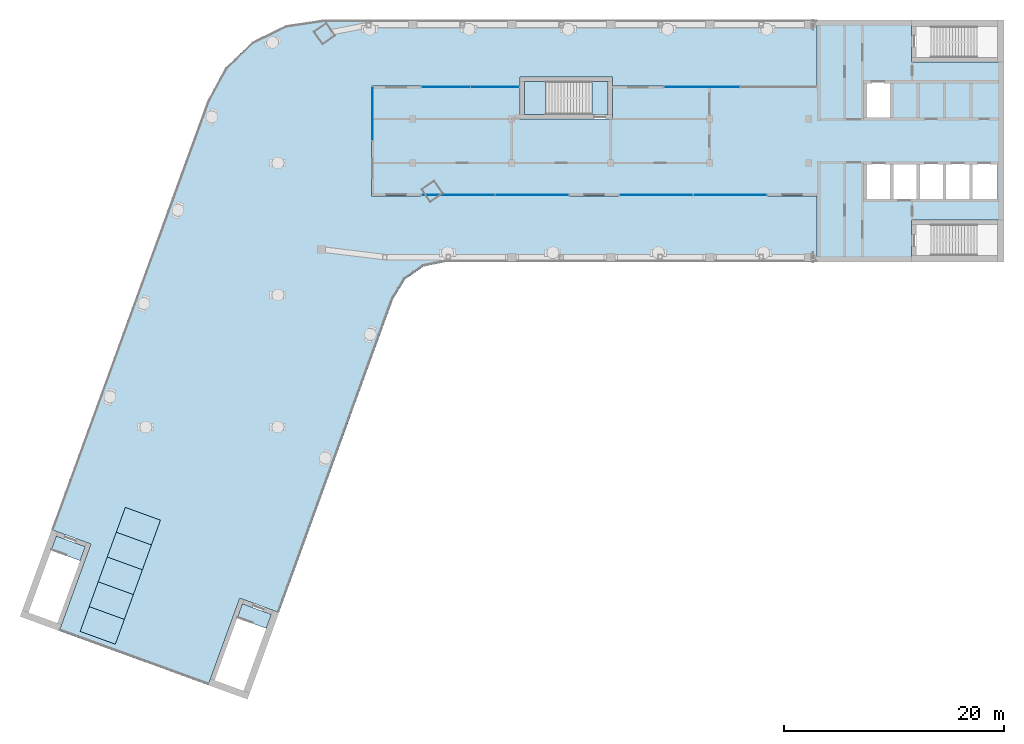
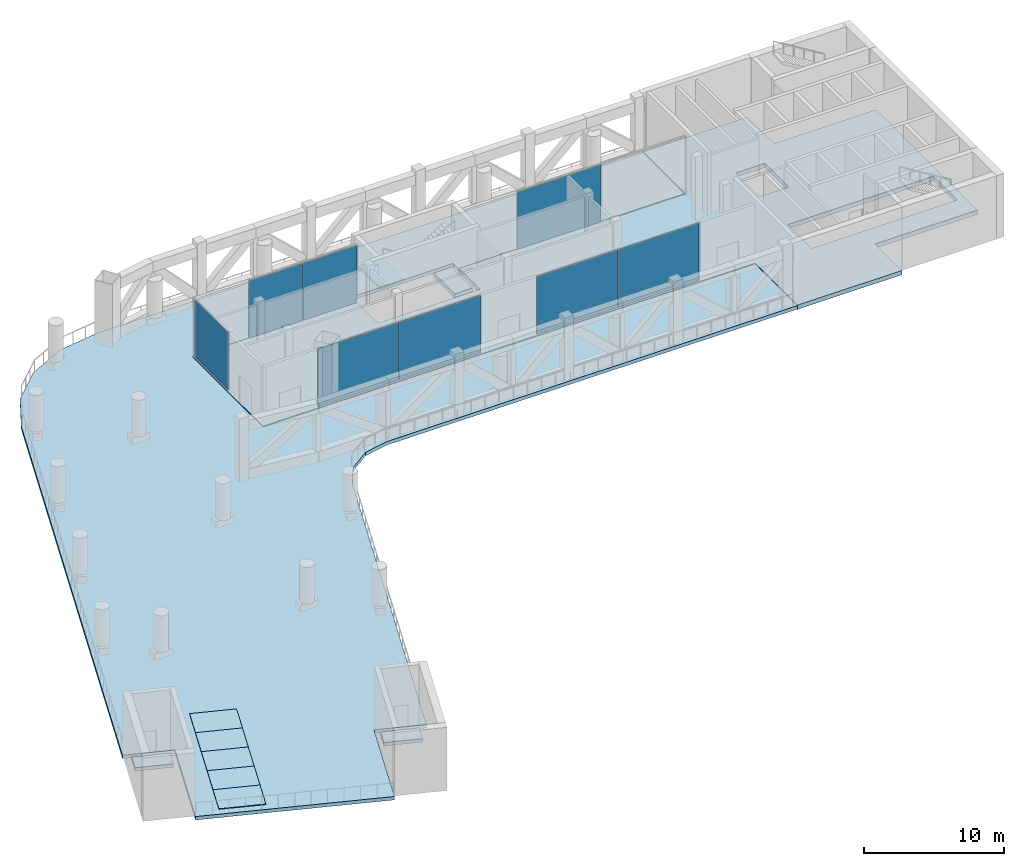
# One storey, part 6 of 14: 11 slabs, 8 plates, 6 elements without a shape of their own.
"""IFC4 building model written with IfcOpenShell, lengths in metres."""

from ifc_helpers import new_model, si_unit, direction, frame, origin, origin_2d, place, context, subcontext, project, spatial, polyline, rectangle, outline, extrude, material, layer, layer_set, type_object, element, aggregate, save


model = new_model("IFC4")

# Units and contexts
model_context = context("Model", 3, precision=1e-05, world=origin(), true_north=direction((0.0, 1.0)))
body_context = subcontext(model_context, "Body", "Model", "MODEL_VIEW")
ifc_project = project(units=[si_unit("LENGTHUNIT", "METRE"), si_unit("AREAUNIT", "SQUARE_METRE"), si_unit("VOLUMEUNIT", "CUBIC_METRE"), si_unit("PLANEANGLEUNIT", "RADIAN"), si_unit("MASSUNIT", "GRAM", prefix="KILO")], contexts=[model_context])

# Site, building, storey
site_placement = place(None, origin())
site = spatial("IfcSite", under=ifc_project, at=site_placement, CompositionType="ELEMENT")
building_placement = place(site_placement, origin())
building = spatial("IfcBuilding", under=site, at=building_placement, Name="Skarvind Civic Tower", CompositionType="ELEMENT")
storey_placement = place(building_placement, frame((0.0, 0.0, 236.0)))
storey = spatial("IfcBuildingStorey", under=building, at=storey_placement, Name="L56", CompositionType="ELEMENT", Elevation=236.0)

# Curtain wall, plates
ifc_material_1 = material(Name="Aluminium alloy 6063 and laminated glass", Category="aluminium")
curtain_wall_type = type_object("IfcCurtainWallType", Name="CW3 SEPARATOR INNER GLAZING", PredefinedType="NOTDEFINED", material=ifc_material_1)
curtain_wall_1_placement = place(storey_placement, origin())
curtain_wall_1 = element("IfcCurtainWall", 1, at=curtain_wall_1_placement, inside=storey, type_object=curtain_wall_type, Name="SEPARATOR INNER GLAZING", PredefinedType="NOTDEFINED")
ifc_material_2 = material(Name="Laminated low-iron glass", Category="glass")
ifc_layer_1 = layer(ifc_material_2, 0.031982421875)
ifc_layer_set_1 = layer_set([ifc_layer_1], Name="CW3 GLASS PANEL 32")
plate_type = type_object("IfcPlateType", Name="CW3 GLASS PANEL 32", PredefinedType="CURTAIN_PANEL", material=ifc_layer_set_1)
plate_1_placement = place(storey_placement, frame((57.264892578125, 132.89990234375, 0.06005859375), z_axis=(0.0, 0.0, 1.0), x_axis=(1.0, 0.0, 0.0)))
plate_1 = element("IfcPlate", 2, at=plate_1_placement, type_object=plate_type, Name="CW3 panel 1.1", PredefinedType="CURTAIN_PANEL", context=body_context, shape_type="SweptSolid", body=[
    extrude(rectangle(XDim=4.409912109375, YDim=0.031982421875, at=origin_2d()), origin(), (0.0, 0.0, 1.0), 5.0048828125),
])
plate_2_placement = place(storey_placement, frame((61.735107421875, 132.89990234375, 0.06005859375), z_axis=(0.0, 0.0, 1.0), x_axis=(1.0, 0.0, 0.0)))
plate_2 = element("IfcPlate", 3, at=plate_2_placement, type_object=plate_type, Name="CW3 panel 2.1", PredefinedType="CURTAIN_PANEL", context=body_context, shape_type="SweptSolid", body=[
    extrude(rectangle(XDim=4.409912109375, YDim=0.031982421875, at=origin_2d()), origin(), (0.0, 0.0, 1.0), 5.0048828125),
])
aggregate(curtain_wall_1, [plate_1, plate_2])

# Curtain wall, plate
curtain_wall_2_placement = place(storey_placement, origin())
curtain_wall_2 = element("IfcCurtainWall", 4, at=curtain_wall_2_placement, inside=storey, type_object=curtain_wall_type, Name="SEPARATOR INNER GLAZING", PredefinedType="NOTDEFINED")
plate_3_placement = place(storey_placement, frame((50.60009765625, 130.5, 0.06005859375), z_axis=(0.0, 0.0, 1.0), x_axis=(0.0, 1.0, 0.0)))
plate_3 = element("IfcPlate", 5, at=plate_3_placement, type_object=plate_type, Name="CW3 panel 1.1", PredefinedType="CURTAIN_PANEL", context=body_context, shape_type="SweptSolid", body=[
    extrude(rectangle(XDim=4.8798828125, YDim=0.031982421875, at=origin_2d()), origin(), (0.0, 0.0, 1.0), 5.0048828125),
])
aggregate(curtain_wall_2, [plate_3])

# Curtain wall, plates
curtain_wall_3_placement = place(storey_placement, origin())
curtain_wall_3 = element("IfcCurtainWall", 6, at=curtain_wall_3_placement, inside=storey, type_object=curtain_wall_type, Name="SEPARATOR INNER GLAZING", PredefinedType="NOTDEFINED")
plate_4_placement = place(storey_placement, frame((83.110107421875, 123.10009765625, 0.06005859375), z_axis=(0.0, 0.0, 1.0), x_axis=(-1.0, 0.0, 0.0)))
plate_4 = element("IfcPlate", 7, at=plate_4_placement, type_object=plate_type, Name="CW3 panel 1.1", PredefinedType="CURTAIN_PANEL", context=body_context, shape_type="SweptSolid", body=[
    extrude(rectangle(XDim=6.659912109375, YDim=0.031982421875, at=origin_2d()), origin(), (0.0, 0.0, 1.0), 5.0048828125),
])
plate_5_placement = place(storey_placement, frame((76.389892578125, 123.10009765625, 0.06005859375), z_axis=(0.0, 0.0, 1.0), x_axis=(-1.0, 0.0, 0.0)))
plate_5 = element("IfcPlate", 8, at=plate_5_placement, type_object=plate_type, Name="CW3 panel 2.1", PredefinedType="CURTAIN_PANEL", context=body_context, shape_type="SweptSolid", body=[
    extrude(rectangle(XDim=6.659912109375, YDim=0.031982421875, at=origin_2d()), origin(), (0.0, 0.0, 1.0), 5.0048828125),
])
aggregate(curtain_wall_3, [plate_4, plate_5])

curtain_wall_4_placement = place(storey_placement, origin())
curtain_wall_4 = element("IfcCurtainWall", 9, at=curtain_wall_4_placement, inside=storey, type_object=curtain_wall_type, Name="SEPARATOR INNER GLAZING", PredefinedType="NOTDEFINED")
plate_6_placement = place(storey_placement, frame((65.110107421875, 123.10009765625, 0.06005859375), z_axis=(0.0, 0.0, 1.0), x_axis=(-1.0, 0.0, 0.0)))
plate_6 = element("IfcPlate", 10, at=plate_6_placement, type_object=plate_type, Name="CW3 panel 1.1", PredefinedType="CURTAIN_PANEL", context=body_context, shape_type="SweptSolid", body=[
    extrude(rectangle(XDim=6.659912109375, YDim=0.031982421875, at=origin_2d()), origin(), (0.0, 0.0, 1.0), 5.0048828125),
])
plate_7_placement = place(storey_placement, frame((58.389892578125, 123.10009765625, 0.06005859375), z_axis=(0.0, 0.0, 1.0), x_axis=(-1.0, 0.0, 0.0)))
plate_7 = element("IfcPlate", 11, at=plate_7_placement, type_object=plate_type, Name="CW3 panel 2.1", PredefinedType="CURTAIN_PANEL", context=body_context, shape_type="SweptSolid", body=[
    extrude(rectangle(XDim=6.659912109375, YDim=0.031982421875, at=origin_2d()), origin(), (0.0, 0.0, 1.0), 5.0048828125),
])
aggregate(curtain_wall_4, [plate_6, plate_7])

# Curtain wall, plate
curtain_wall_5_placement = place(storey_placement, origin())
curtain_wall_5 = element("IfcCurtainWall", 12, at=curtain_wall_5_placement, inside=storey, type_object=curtain_wall_type, Name="SEPARATOR INNER GLAZING", PredefinedType="NOTDEFINED")
plate_8_placement = place(storey_placement, frame((80.552490234375, 132.89990234375, 0.06005859375), z_axis=(0.0, 0.0, 1.0), x_axis=(1.0, 0.0, 0.0)))
plate_8 = element("IfcPlate", 13, at=plate_8_placement, type_object=plate_type, Name="CW3 panel 1.1", PredefinedType="CURTAIN_PANEL", context=body_context, shape_type="SweptSolid", body=[
    extrude(rectangle(XDim=6.885009765625, YDim=0.031982421875, at=origin_2d()), origin(), (0.0, 0.0, 1.0), 5.0048828125),
])
aggregate(curtain_wall_5, [plate_8])

# Slabs
ifc_material_3 = material(Name="Concrete C50", Category="concrete")
ifc_layer_2 = layer(ifc_material_3, 0.375)
ifc_layer_set_2 = layer_set([ifc_layer_2], Name="Floor slab 375 C50")
slab_type_1 = type_object("IfcSlabType", Name="Floor slab 375 C50", PredefinedType="FLOOR", material=ifc_layer_set_2)
slab_1_placement = place(storey_placement, frame((0.0, 0.0, -0.375)))
element("IfcSlab", 14, at=slab_1_placement, inside=storey, type_object=slab_type_1, Name="Floor slab L56 1", PredefinedType="FLOOR", context=body_context, shape_type="SweptSolid", body=[
    extrude(outline(polyline([(72.39990234375, 133.0), (72.39990234375, 130.0), (64.0, 130.0), (64.0, 133.0), (50.5, 133.0), (50.5, 123.0), (91.0, 123.0), (91.0, 117.0), (99.60009765625, 117.0), (99.60009765625, 120.800048828125), (108.0, 120.800048828125), (108.0, 135.199951171875), (99.60009765625, 135.199951171875), (99.60009765625, 139.0), (91.0, 139.0), (91.0, 133.0), (72.39990234375, 133.0)]), holes=[polyline([(97.800048828125, 126.0), (100.199951171875, 126.0), (102.60009765625, 126.0), (105.0, 126.0), (107.39990234375, 126.0), (107.39990234375, 122.60009765625), (105.0, 122.60009765625), (102.60009765625, 122.60009765625), (100.199951171875, 122.60009765625), (97.800048828125, 122.60009765625), (95.39990234375, 122.60009765625), (95.39990234375, 126.0), (97.800048828125, 126.0)]), polyline([(97.800048828125, 133.39990234375), (97.800048828125, 130.0), (95.39990234375, 130.0), (95.39990234375, 133.39990234375), (97.800048828125, 133.39990234375)])]), origin(), (0.0, 0.0, 1.0), 0.375),
])
ifc_material_4 = material(Name="Concrete C40/50", Category="concrete")
ifc_layer_3 = layer(ifc_material_4, 0.300048828125)
ifc_layer_set_3 = layer_set([ifc_layer_3], Name="Lift overrun roof slab")
slab_type_2 = type_object("IfcSlabType", Name="Lift overrun roof slab", PredefinedType="ROOF", material=ifc_layer_set_3)
slab_2_placement = place(storey_placement, frame((0.0, 0.0, -0.300048828125)))
element("IfcSlab", 15, at=slab_2_placement, inside=storey, type_object=slab_type_2, Name="Lift overrun roof slab", PredefinedType="ROOF", context=body_context, shape_type="SweptSolid", body=[
    extrude(outline(polyline([(27.224853515625, 82.26318359375), (28.045654296875, 84.5185546875), (24.8505859375, 85.681396484375), (24.02978515625, 83.426025390625), (27.224853515625, 82.26318359375)])), origin(), (0.0, 0.0, 1.0), 0.300048828125),
])
slab_3_placement = place(storey_placement, frame((0.0, 0.0, -0.300048828125)))
element("IfcSlab", 16, at=slab_3_placement, inside=storey, type_object=slab_type_2, Name="Lift overrun roof slab", PredefinedType="ROOF", context=body_context, shape_type="SweptSolid", body=[
    extrude(outline(polyline([(28.045654296875, 84.5185546875), (28.866455078125, 86.773681640625), (25.671630859375, 87.9365234375), (24.8505859375, 85.681396484375), (28.045654296875, 84.5185546875)])), origin(), (0.0, 0.0, 1.0), 0.300048828125),
])
slab_4_placement = place(storey_placement, frame((0.0, 0.0, -0.300048828125)))
element("IfcSlab", 17, at=slab_4_placement, inside=storey, type_object=slab_type_2, Name="Lift overrun roof slab", PredefinedType="ROOF", context=body_context, shape_type="SweptSolid", body=[
    extrude(outline(polyline([(28.866455078125, 86.773681640625), (29.6875, 89.029052734375), (26.492431640625, 90.19189453125), (25.671630859375, 87.9365234375), (28.866455078125, 86.773681640625)])), origin(), (0.0, 0.0, 1.0), 0.300048828125),
])
slab_5_placement = place(storey_placement, frame((0.0, 0.0, -0.300048828125)))
element("IfcSlab", 18, at=slab_5_placement, inside=storey, type_object=slab_type_2, Name="Lift overrun roof slab", PredefinedType="ROOF", context=body_context, shape_type="SweptSolid", body=[
    extrude(outline(polyline([(29.6875, 89.029052734375), (30.50830078125, 91.2841796875), (27.313232421875, 92.447021484375), (26.492431640625, 90.19189453125), (29.6875, 89.029052734375)])), origin(), (0.0, 0.0, 1.0), 0.300048828125),
])
slab_6_placement = place(storey_placement, frame((0.0, 0.0, -0.300048828125)))
element("IfcSlab", 19, at=slab_6_placement, inside=storey, type_object=slab_type_2, Name="Lift overrun roof slab", PredefinedType="ROOF", context=body_context, shape_type="SweptSolid", body=[
    extrude(outline(polyline([(30.50830078125, 91.2841796875), (31.3291015625, 93.53955078125), (28.134033203125, 94.702392578125), (27.313232421875, 92.447021484375), (30.50830078125, 91.2841796875)])), origin(), (0.0, 0.0, 1.0), 0.300048828125),
])
ifc_layer_4 = layer(ifc_material_4, 0.300048828125)
ifc_layer_set_4 = layer_set([ifc_layer_4], Name="Stair floor landing slab 300")
slab_type_3 = type_object("IfcSlabType", Name="Stair floor landing slab 300", PredefinedType="LANDING", material=ifc_layer_set_4)
slab_7_placement = place(storey_placement, frame((0.0, 0.0, -0.300048828125)))
element("IfcSlab", 20, at=slab_7_placement, inside=storey, type_object=slab_type_3, Name="Stair floor landing", PredefinedType="LANDING", context=body_context, shape_type="SweptSolid", body=[
    extrude(outline(polyline([(40.946533203125, 83.70654296875), (38.314208984375, 84.66455078125), (38.7763671875, 85.934326171875), (41.40869140625, 84.976318359375), (40.946533203125, 83.70654296875)])), origin(), (0.0, 0.0, 1.0), 0.300048828125),
])
slab_8_placement = place(storey_placement, frame((0.0, 0.0, -0.300048828125)))
element("IfcSlab", 21, at=slab_8_placement, inside=storey, type_object=slab_type_3, Name="Stair floor landing", PredefinedType="LANDING", context=body_context, shape_type="SweptSolid", body=[
    extrude(outline(polyline([(24.0322265625, 89.863037109375), (21.39990234375, 90.821044921875), (21.862060546875, 92.090576171875), (24.494384765625, 91.132568359375), (24.0322265625, 89.863037109375)])), origin(), (0.0, 0.0, 1.0), 0.300048828125),
])
ifc_layer_5 = layer(ifc_material_4, 0.375)
ifc_layer_set_5 = layer_set([ifc_layer_5], Name="Stair floor landing slab 375")
slab_type_4 = type_object("IfcSlabType", Name="Stair floor landing slab 375", PredefinedType="LANDING", material=ifc_layer_set_5)
slab_9_placement = place(storey_placement, frame((0.0, 0.0, -0.375)))
element("IfcSlab", 22, at=slab_9_placement, inside=storey, type_object=slab_type_4, Name="Stair floor landing", PredefinedType="LANDING", context=body_context, shape_type="SweptSolid", body=[
    extrude(outline(polyline([(70.54931640625, 130.3994140625), (70.54931640625, 133.400634765625), (72.00048828125, 133.400634765625), (72.00048828125, 130.3994140625), (70.54931640625, 130.3994140625)])), origin(), (0.0, 0.0, 1.0), 0.375),
])

# Stair, slab
stair_type = type_object("IfcStairType", Name="Exit stair 1450, half-turn, concrete", PredefinedType="HALF_TURN_STAIR", material=ifc_material_4)
stair_placement = place(storey_placement, origin())
stair = element("IfcStair", 23, at=stair_placement, inside=storey, type_object=stair_type, Name="Exit stair CM", PredefinedType="HALF_TURN_STAIR")
ifc_layer_6 = layer(ifc_material_4, 0.199951171875)
ifc_layer_set_6 = layer_set([ifc_layer_6], Name="Stair half landing slab")
slab_type_5 = type_object("IfcSlabType", Name="Stair half landing slab", PredefinedType="LANDING", material=ifc_layer_set_6)
slab_10_placement = place(storey_placement, frame((0.0, 0.0, 2.550048828125)))
slab_10 = element("IfcSlab", 24, at=slab_10_placement, type_object=slab_type_5, Name="ST-CM landing 1", PredefinedType="LANDING", context=body_context, shape_type="SweptSolid", body=[
    extrude(outline(polyline([(66.3505859375, 133.400634765625), (66.3505859375, 130.3994140625), (64.3994140625, 130.3994140625), (64.3994140625, 133.400634765625), (66.3505859375, 133.400634765625)])), origin(), (0.0, 0.0, 1.0), 0.199951171875),
])
aggregate(stair, [slab_10])

# Slab
ifc_layer_7 = layer(ifc_material_3, 0.300048828125)
ifc_layer_set_7 = layer_set([ifc_layer_7], Name="Terrace slab 300 C50")
slab_type_6 = type_object("IfcSlabType", Name="Terrace slab 300 C50", PredefinedType="FLOOR", material=ifc_layer_set_7)
slab_11_placement = place(storey_placement, frame((0.0, 0.0, -0.35009765625)))
element("IfcSlab", 25, at=slab_11_placement, inside=storey, type_object=slab_type_6, Name="Terrace slab L56 1", PredefinedType="FLOOR", context=body_context, shape_type="SweptSolid", body=[
    extrude(outline(polyline([(53.560791015625, 115.421630859375), (55.23388671875, 116.593017578125), (57.235107421875, 117.0), (91.0, 117.0), (91.0, 123.0), (50.5, 123.0), (50.5, 133.0), (64.0, 133.0), (64.0, 133.800048828125), (72.39990234375, 133.800048828125), (72.39990234375, 133.0), (91.0, 133.0), (91.0, 139.0), (47.0, 139.0), (46.095458984375, 139.0), (42.739501953125, 138.5009765625), (39.6943359375, 137.005615234375), (37.24755859375, 134.6552734375), (35.630615234375, 131.672607421875), (19.41748046875, 87.126708984375), (21.435302734375, 92.6708984375), (25.006103515625, 91.371337890625), (22.13330078125, 83.477783203125), (36.886474609375, 78.108154296875), (35.664794921875, 78.552734375), (38.53759765625, 86.4462890625), (42.108642578125, 85.146484375), (40.0908203125, 79.602294921875), (40.0908203125, 79.602294921875), (52.493896484375, 113.68017578125), (53.560791015625, 115.421630859375)]), holes=[polyline([(25.671630859375, 87.9365234375), (26.492431640625, 90.19189453125), (27.313232421875, 92.447021484375), (28.134033203125, 94.702392578125), (31.3291015625, 93.53955078125), (30.50830078125, 91.2841796875), (29.6875, 89.029052734375), (28.866455078125, 86.773681640625), (28.866455078125, 86.773681640625), (28.045654296875, 84.5185546875), (27.224853515625, 82.26318359375), (24.02978515625, 83.426025390625), (24.8505859375, 85.681396484375), (25.671630859375, 87.9365234375), (25.671630859375, 87.9365234375)])]), origin(), (0.0, 0.0, 1.0), 0.300048828125),
])

save(model, "model.ifc")
